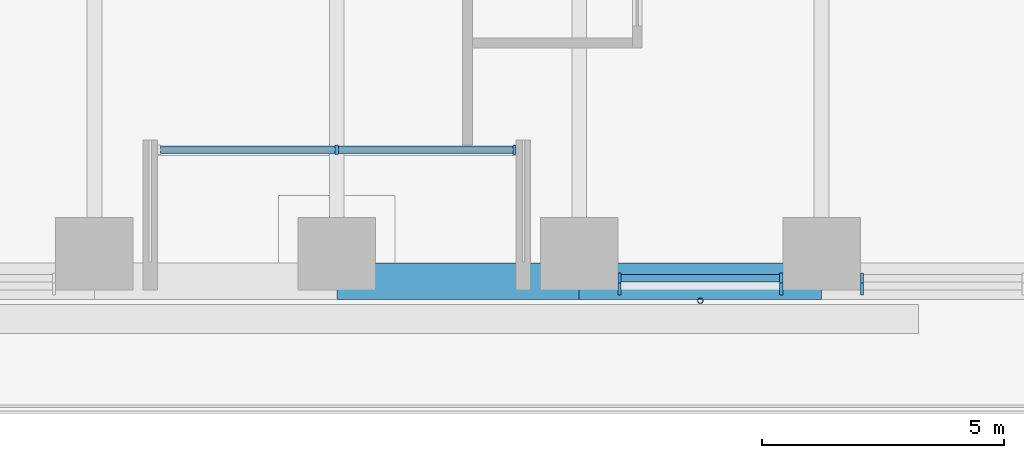
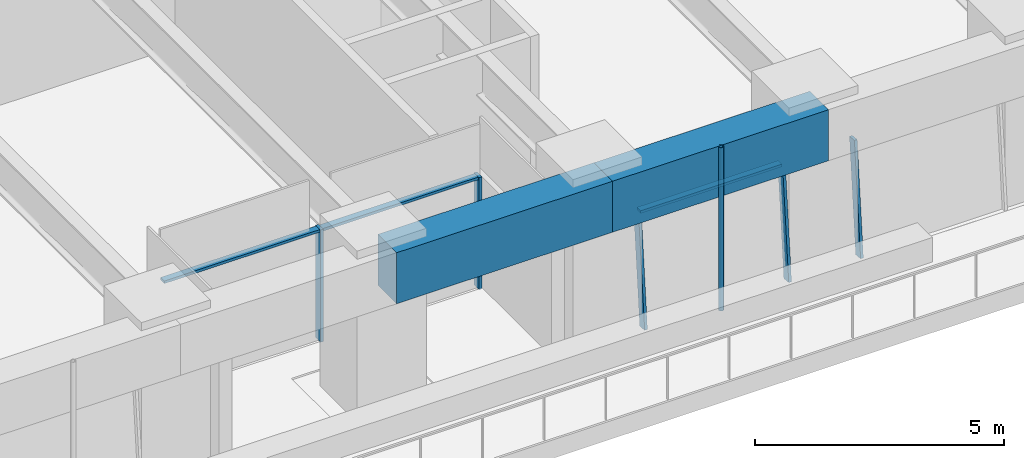
# One storey, part 4 of 24: 8 members, 2 beams, 3 elements without a shape of their own.
"""IFC4 building model written with IfcOpenShell, lengths in metres."""

import ifcopenshell
import ifcopenshell.guid

model = None  # the IFC model being written
_history = None  # IfcOwnerHistory: only IFC2X3 demands one
_inside = {}  # id of a spatial element -> (the spatial element, [elements in it])
_under = {}  # id of a project, library or spatial element -> (it, [spatial elements below it])
_declared = {}  # id of a project -> (the project, [libraries it declares])
_typed = {}  # id of a type object -> (the type object, [elements of that type])
_made_of = {}  # id of a material, layer set ... -> (it, [elements and type objects made of it])


def new_model(schema):
    """Start an empty IFC model of exactly this schema.

    Asked for "IFC4X3", IfcOpenShell would pick the latest addendum, in which some entities
    have other attributes; the version numbers below select the first issue.
    IFC2X3 requires an IfcOwnerHistory on every rooted entity: one is made here for all.
    """
    global model, _history
    if schema == "IFC4X3":
        model = ifcopenshell.file(schema_version=(4, 3, 0, 0))
    else:
        model = ifcopenshell.file(schema=schema)
    _inside.clear()
    _under.clear()
    _declared.clear()
    _typed.clear()
    _made_of.clear()
    _history = None
    if model.schema == "IFC2X3":
        org = make("IfcOrganization", Name="unknown")
        user = make(
            "IfcPersonAndOrganization",
            ThePerson=make("IfcPerson", FamilyName="unknown"),
            TheOrganization=org,
        )
        app = make(
            "IfcApplication",
            ApplicationDeveloper=org,
            Version="unknown",
            ApplicationFullName="unknown",
            ApplicationIdentifier="unknown",
        )
        _history = make(
            "IfcOwnerHistory",
            OwningUser=user,
            OwningApplication=app,
            ChangeAction="ADDED",
            CreationDate=0,
        )
    return model


def make(cls, **values):
    """One entity of the class cls with the attributes given. An attribute that is None is left unset."""
    return model.create_entity(
        cls, **{name: value for name, value in values.items() if value is not None}
    )


def rooted(cls, **values):
    """An entity with a GlobalId (a new one), such as an element, a storey or a relation."""
    return make(cls, GlobalId=ifcopenshell.guid.new(), OwnerHistory=_history, **values)


def si_unit(unit_type, name, prefix=None):
    """IfcSIUnit, for example si_unit("LENGTHUNIT", "METRE", prefix="MILLI")."""
    return make("IfcSIUnit", UnitType=unit_type, Prefix=prefix, Name=name)


def assignment(units):
    """IfcUnitAssignment: the units of a project."""
    return None if units is None else make("IfcUnitAssignment", Units=units)


def point(xyz):
    """IfcCartesianPoint."""
    return None if xyz is None else make("IfcCartesianPoint", Coordinates=xyz)


def direction(xyz):
    """IfcDirection."""
    return None if xyz is None else make("IfcDirection", DirectionRatios=xyz)


def frame(location, z_axis=None, x_axis=None):
    """IfcAxis2Placement3D, a coordinate frame: its origin and axes. An axis left out is left unset."""
    return make(
        "IfcAxis2Placement3D",
        Location=point(location),
        Axis=direction(z_axis),
        RefDirection=direction(x_axis),
    )


def frame_2d(location, x_axis=None):
    """IfcAxis2Placement2D, a coordinate frame in the plane: its origin and x axis."""
    return make(
        "IfcAxis2Placement2D", Location=point(location), RefDirection=direction(x_axis)
    )


def origin():
    """The frame at (0, 0, 0) with its axes left unset."""
    return frame((0.0, 0.0, 0.0))


def origin_2d():
    """The frame at (0, 0) in the plane with its x axis left unset."""
    return frame_2d((0.0, 0.0))


def place(relative_to, where):
    """IfcLocalPlacement: puts the frame where relative to a parent placement (None: the world)."""
    return make(
        "IfcLocalPlacement", PlacementRelTo=relative_to, RelativePlacement=where
    )


def context(
    kind, dimensions, precision=None, world=None, true_north=None, identifier=None
):
    """IfcGeometricRepresentationContext, for example the 3D "Model" context."""
    return make(
        "IfcGeometricRepresentationContext",
        ContextIdentifier=identifier,
        ContextType=kind,
        CoordinateSpaceDimension=dimensions,
        Precision=precision,
        WorldCoordinateSystem=world,
        TrueNorth=true_north,
    )


def subcontext(parent, identifier, kind, view, scale=None):
    """IfcGeometricRepresentationSubContext, for example "Body" below "Model"."""
    return make(
        "IfcGeometricRepresentationSubContext",
        ContextIdentifier=identifier,
        ContextType=kind,
        ParentContext=parent,
        TargetScale=scale,
        TargetView=view,
    )


def project(units=None, contexts=None):
    """IfcProject with its units and contexts."""
    return rooted(
        "IfcProject",
        Name="project",
        RepresentationContexts=contexts,
        UnitsInContext=assignment(units),
    )


def spatial(cls, under=None, at=None, **own):
    """A site, building, storey or space (cls), placed at a placement, below another one or the project."""
    s = rooted(cls, ObjectPlacement=at, **own)
    if under is not None:
        _under.setdefault(under.id(), (under, []))[1].append(s)
    return s


def profile(cls, at=None, kind="AREA", **sizes):
    """A parametric profile (cls). Its sizes go by their IFC names, for example OverallWidth=200.0."""
    return make(cls, ProfileType=kind, Position=at, **sizes)


def rectangle(**sizes):
    """IfcRectangleProfileDef."""
    return profile("IfcRectangleProfileDef", **sizes)


def hollow_circle(**sizes):
    """IfcCircleHollowProfileDef."""
    return profile("IfcCircleHollowProfileDef", **sizes)


def extrude(swept, where, along, depth):
    """IfcExtrudedAreaSolid: the profile swept, set in the frame where, extruded along a direction by depth."""
    return make(
        "IfcExtrudedAreaSolid",
        SweptArea=swept,
        Position=where,
        ExtrudedDirection=direction(along),
        Depth=depth,
    )


def shape(context_of_items, identifier, shape_type, items):
    """IfcShapeRepresentation: the items that make up one representation, for example the "Body"."""
    return make(
        "IfcShapeRepresentation",
        ContextOfItems=context_of_items,
        RepresentationIdentifier=identifier,
        RepresentationType=shape_type,
        Items=items,
    )


def material(Name=None, Category=None):
    """IfcMaterial."""
    return make("IfcMaterial", Name=Name, Category=Category)


def material_profile(
    of_material, cross_section, Name=None, Category=None, Priority=None
):
    """IfcMaterialProfile: a cross section and its material."""
    return make(
        "IfcMaterialProfile",
        Name=Name,
        Material=of_material,
        Profile=cross_section,
        Priority=Priority,
        Category=Category,
    )


def profile_set(profiles, Name=None, composite=None):
    """IfcMaterialProfileSet."""
    return make(
        "IfcMaterialProfileSet",
        Name=Name,
        MaterialProfiles=profiles,
        CompositeProfile=composite,
    )


def made_of(thing, what):
    """Note that an element or type object is made of a material, layer set ...; save() writes the relation."""
    if what is not None:
        _made_of.setdefault(what.id(), (what, []))[1].append(thing)
    return thing


def type_object(cls, material=None, **own):
    """A type object (cls), such as IfcWallType, which elements share."""
    return made_of(rooted(cls, **own), material)


def element(
    cls,
    number,
    at=None,
    inside=None,
    cuts=None,
    type_object=None,
    material=None,
    context=None,
    identifier="Body",
    shape_type=None,
    held_by="IfcProductDefinitionShape",
    body=None,
    shapes=None,
    **own,
):
    """One element of the class cls, such as IfcWall. Its Tag is "e" and its number.

    at: its placement. inside: the storey or other place that contains it. cuts: it is an
    opening in that element (IfcRelVoidsElement). A single representation is given by context,
    identifier, shape_type and body (its items); several are given by shapes. held_by: the class
    of the entity that holds the representations. save() writes the other relations.
    """
    e = rooted(cls, Tag="e%d" % number, ObjectPlacement=at, **own)
    if body is not None:
        shapes = [shape(context, identifier, shape_type, body)]
    if shapes is not None:
        e.Representation = make(held_by, Representations=shapes)
    if inside is not None:
        _inside.setdefault(inside.id(), (inside, []))[1].append(e)
    if cuts is not None:
        rooted(
            "IfcRelVoidsElement", RelatingBuildingElement=cuts, RelatedOpeningElement=e
        )
    if type_object is not None:
        _typed.setdefault(type_object.id(), (type_object, []))[1].append(e)
    return made_of(e, material)


def aggregate(whole, parts):
    """IfcRelAggregates: a whole, such as a stair, and the parts it consists of."""
    return rooted("IfcRelAggregates", RelatingObject=whole, RelatedObjects=parts)


def save(model, path):
    """Write the relations noted so far, then the file.

    IfcRelAggregates (storeys below a building ...), IfcRelContainedInSpatialStructure (elements
    in a storey), IfcRelDefinesByType, IfcRelAssociatesMaterial and IfcRelDeclares: one each for
    every whole, place, type object, material and project.
    """
    for whole, parts in _under.values():
        aggregate(whole, parts)
    for where, things in _inside.values():
        rooted(
            "IfcRelContainedInSpatialStructure",
            RelatedElements=things,
            RelatingStructure=where,
        )
    for kind, things in _typed.values():
        rooted("IfcRelDefinesByType", RelatedObjects=things, RelatingType=kind)
    for what, things in _made_of.values():
        rooted("IfcRelAssociatesMaterial", RelatedObjects=things, RelatingMaterial=what)
    for by, libraries in _declared.values():
        rooted("IfcRelDeclares", RelatingContext=by, RelatedDefinitions=libraries)
    model.write(path)


model = new_model("IFC4")

# Units and contexts
model_context = context("Model", 3, precision=1e-05, world=origin(), true_north=direction((0.0, 1.0)))
body_context = subcontext(model_context, "Body", "Model", "MODEL_VIEW")
ifc_project = project(units=[si_unit("LENGTHUNIT", "METRE"), si_unit("AREAUNIT", "SQUARE_METRE"), si_unit("VOLUMEUNIT", "CUBIC_METRE"), si_unit("PLANEANGLEUNIT", "RADIAN"), si_unit("MASSUNIT", "GRAM", prefix="KILO")], contexts=[model_context])

# Site, building, storey
site_placement = place(None, origin())
site = spatial("IfcSite", under=ifc_project, at=site_placement, CompositionType="ELEMENT")
building_placement = place(site_placement, origin())
building = spatial("IfcBuilding", under=site, at=building_placement, Name="Tarfa Lantern Tower", CompositionType="ELEMENT")
storey_placement = place(building_placement, frame((0.0, 0.0, 153.10009765625)))
storey = spatial("IfcBuildingStorey", under=building, at=storey_placement, Name="L34", CompositionType="ELEMENT", Elevation=153.10009765625)

# Curtain wall, members
ifc_material_1 = material(Name="Aluminium framed curtain wall", Category="aluminium")
curtain_wall_type_1 = type_object("IfcCurtainWallType", Name="CW2 CANTED GLAZING MID ZONE 2750", PredefinedType="USERDEFINED", material=ifc_material_1)
curtain_wall_1_placement = place(storey_placement, origin())
curtain_wall_1 = element("IfcCurtainWall", 1, at=curtain_wall_1_placement, inside=storey, type_object=curtain_wall_type_1, Name="CW2 SB L34", ObjectType="CURTAIN WALL", PredefinedType="USERDEFINED")
ifc_material_2 = material(Name="Aluminium mullion", Category="aluminium")
ifc_material_profile_1 = material_profile(ifc_material_2, rectangle(XDim=0.06494140625, YDim=0.199951171875, at=origin_2d()), Name="AL MULLION 65x200")
ifc_profile_set_1 = profile_set([ifc_material_profile_1], Name="Aluminium mullion")
member_type_1 = type_object("IfcMemberType", Name="CWM1 MULLION 65x200", PredefinedType="MULLION", material=ifc_profile_set_1)
member_1_placement = place(storey_placement, frame((5.836181640625, -31.39990234375, 0.0), z_axis=(0.0, 0.090535746043, 0.995893206468), x_axis=(-1.0, 0.0, 0.0)))
member_1 = element("IfcMember", 2, at=member_1_placement, type_object=member_type_1, Name="CW2 mullion 1", PredefinedType="MULLION", context=body_context, shape_type="SweptSolid", body=[
    extrude(rectangle(XDim=0.06494140625, YDim=0.199951171875, at=origin_2d()), origin(), (0.0, 0.0, 1.0), 2.76123046875),
])
member_2_placement = place(storey_placement, frame((9.1748046875, -31.39990234375, 0.0), z_axis=(0.0, 0.090535746043, 0.995893206468), x_axis=(-1.0, 0.0, 0.0)))
member_2 = element("IfcMember", 3, at=member_2_placement, type_object=member_type_1, Name="CW2 mullion 2", PredefinedType="MULLION", context=body_context, shape_type="SweptSolid", body=[
    extrude(rectangle(XDim=0.06494140625, YDim=0.199951171875, at=origin_2d()), origin(), (0.0, 0.0, 1.0), 2.76123046875),
])

# Curtain wall, member
curtain_wall_2_placement = place(storey_placement, origin())
curtain_wall_2 = element("IfcCurtainWall", 4, at=curtain_wall_2_placement, inside=storey, type_object=curtain_wall_type_1, Name="CW2 SB L34", ObjectType="CURTAIN WALL", PredefinedType="USERDEFINED")
member_3_placement = place(storey_placement, frame((10.83984375, -31.39990234375, 0.0), z_axis=(0.0, 0.090535746043, 0.995893206468), x_axis=(-1.0, 0.0, 0.0)))
member_3 = element("IfcMember", 5, at=member_3_placement, type_object=member_type_1, Name="CW2 mullion 1", PredefinedType="MULLION", context=body_context, shape_type="SweptSolid", body=[
    extrude(rectangle(XDim=0.06494140625, YDim=0.199951171875, at=origin_2d()), origin(), (0.0, 0.0, 1.0), 2.76123046875),
])
aggregate(curtain_wall_2, [member_3])

# Curtain wall, members
curtain_wall_type_2 = type_object("IfcCurtainWallType", Name="CW10 LOGGIA GLAZING 2750", PredefinedType="USERDEFINED", material=ifc_material_1)
curtain_wall_3_placement = place(storey_placement, origin())
curtain_wall_3 = element("IfcCurtainWall", 6, at=curtain_wall_3_placement, inside=storey, type_object=curtain_wall_type_2, Name="CW10 SL L34", ObjectType="CURTAIN WALL", PredefinedType="USERDEFINED")
member_4_placement = place(storey_placement, frame((0.0, -28.5, 0.0), z_axis=(0.0, 0.0, 1.0), x_axis=(1.0, 0.0, 0.0)))
member_4 = element("IfcMember", 7, at=member_4_placement, type_object=member_type_1, Name="CW10 mullion 2", PredefinedType="MULLION", context=body_context, shape_type="SweptSolid", body=[
    extrude(rectangle(XDim=0.06494140625, YDim=0.199951171875, at=origin_2d()), origin(), (0.0, 0.0, 1.0), 2.75),
])
member_5_placement = place(storey_placement, frame((3.671142578125, -28.5, 0.0), z_axis=(0.0, 0.0, 1.0), x_axis=(1.0, 0.0, 0.0)))
member_5 = element("IfcMember", 8, at=member_5_placement, type_object=member_type_1, Name="CW10 mullion 3", PredefinedType="MULLION", context=body_context, shape_type="SweptSolid", body=[
    extrude(rectangle(XDim=0.06494140625, YDim=0.199951171875, at=origin_2d()), origin(), (0.0, 0.0, 1.0), 2.75),
])

# Member
ifc_material_3 = material(Name="Aluminium transom", Category="aluminium")
ifc_material_profile_2 = material_profile(ifc_material_3, rectangle(XDim=0.14990234375, YDim=0.06494140625, at=origin_2d()), Name="AL TRANSOM 150x65")
ifc_profile_set_2 = profile_set([ifc_material_profile_2], Name="Aluminium transom")
member_type_2 = type_object("IfcMemberType", Name="CWT1 TRANSOM 150x65", PredefinedType="USERDEFINED", material=ifc_profile_set_2)
member_6_placement = place(storey_placement, frame((5.86865234375, -31.153076171875, 2.71728515625), z_axis=(1.0, 0.0, 0.0), x_axis=(0.0, 1.0, 0.0)))
member_6 = element("IfcMember", 9, at=member_6_placement, type_object=member_type_2, Name="CW2 transom 1.2", ObjectType="TRANSOM", PredefinedType="USERDEFINED", context=body_context, shape_type="SweptSolid", body=[
    extrude(rectangle(XDim=0.14990234375, YDim=0.06494140625, at=origin_2d()), origin(), (0.0, 0.0, 1.0), 3.273681640625),
])

aggregate(curtain_wall_1, [member_1, member_2, member_6])

member_7_placement = place(storey_placement, frame((-3.638671875, -28.5, 2.71728515625), z_axis=(1.0, 0.0, 0.0), x_axis=(0.0, 1.0, 0.0)))
member_7 = element("IfcMember", 10, at=member_7_placement, type_object=member_type_2, Name="CW10 transom 1.2", ObjectType="TRANSOM", PredefinedType="USERDEFINED", context=body_context, shape_type="SweptSolid", body=[
    extrude(rectangle(XDim=0.14990234375, YDim=0.06494140625, at=origin_2d()), origin(), (0.0, 0.0, 1.0), 7.27734375),
])

aggregate(curtain_wall_3, [member_4, member_5, member_7])

# Beams
ifc_material_4 = material(Name="Concrete C80/95", Category="concrete")
ifc_material_profile_3 = material_profile(ifc_material_4, rectangle(XDim=0.75, YDim=1.25, at=origin_2d()), Name="RC 750x1250")
ifc_profile_set_3 = profile_set([ifc_material_profile_3], Name="Concrete C80/95")
beam_type = type_object("IfcBeamType", Name="EB2 RC 750x1250", PredefinedType="SPANDREL", material=ifc_profile_set_3)
for number, where, z_axis, x_axis, name in (
    (11, (0.0, -31.219970703125, 3.375), (1.0, 0.0, 0.0), (0.0, 1.0, 0.0), "Edge beam S3"),
    (12, (5.003662109375, -31.219970703125, 3.375), (1.0, 0.0, 0.0), (0.0, 1.0, 0.0), "Edge beam S4"),
):
    element("IfcBeam", number, at=place(storey_placement, frame(where, z_axis=z_axis, x_axis=x_axis)), inside=storey, type_object=beam_type, Name=name, PredefinedType="SPANDREL", context=body_context, shape_type="SweptSolid", body=[
        extrude(rectangle(XDim=0.75, YDim=1.25, at=origin_2d()), origin(), (0.0, 0.0, 1.0), 5.003662109375),
    ])

# Member
ifc_material_5 = material(Name="Steel S355", Category="steel")
ifc_material_profile_4 = material_profile(ifc_material_5, hollow_circle(Radius=0.05712890625, WallThickness=0.00634765625, at=origin_2d()), Name="CHS114.3x6.3")
ifc_profile_set_4 = profile_set([ifc_material_profile_4], Name="Steel S355")
member_type_3 = type_object("IfcMemberType", Name="TR1 GREEN WALL TRELLIS CHS114.3x6.3", PredefinedType="USERDEFINED", material=ifc_profile_set_4)
member_8_placement = place(storey_placement, frame((7.505615234375, -31.6201171875, 0.0), z_axis=(0.0, 0.0, 1.0), x_axis=(1.0, 0.0, 0.0)))
element("IfcMember", 13, at=member_8_placement, inside=storey, type_object=member_type_3, Name="Trellis post S 2", ObjectType="TRELLIS", PredefinedType="USERDEFINED", context=body_context, shape_type="SweptSolid", body=[
    extrude(hollow_circle(Radius=0.05712890625, WallThickness=0.00634765625, at=origin_2d()), origin(), (0.0, 0.0, 1.0), 4.0),
])

save(model, "model.ifc")
